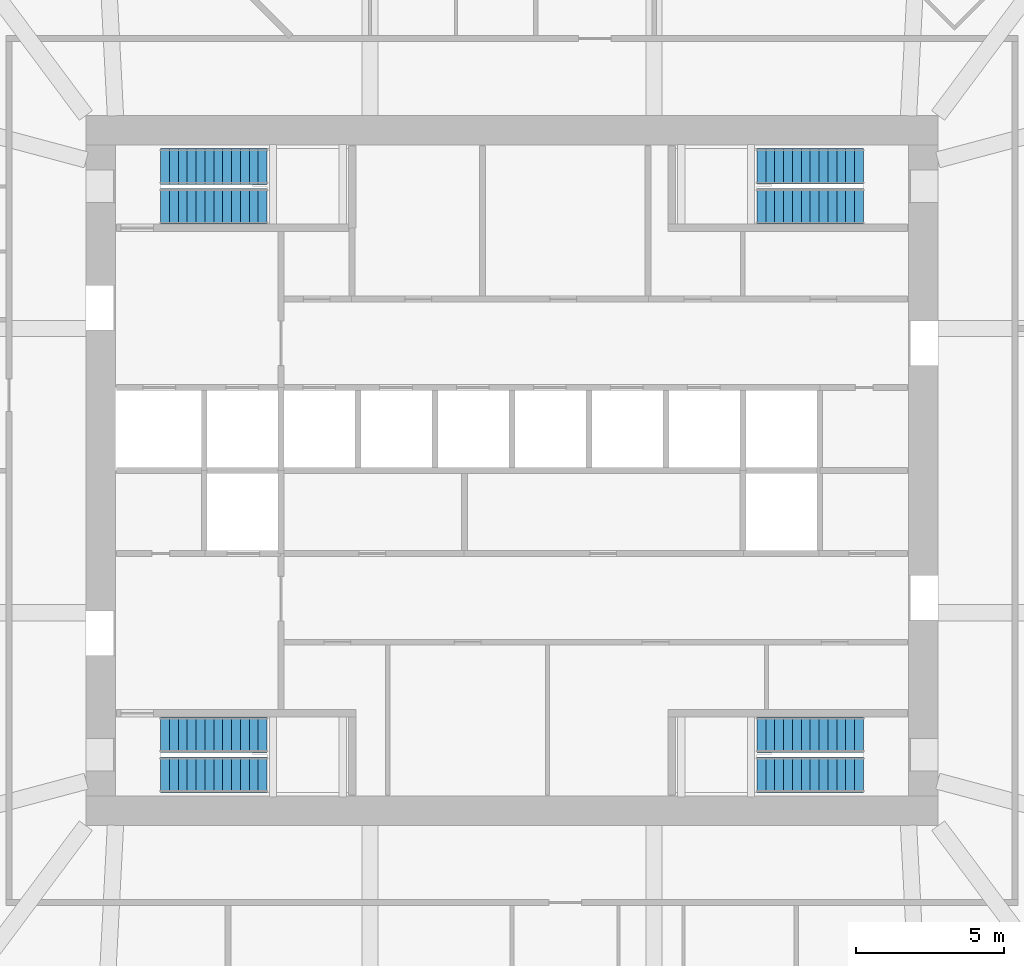
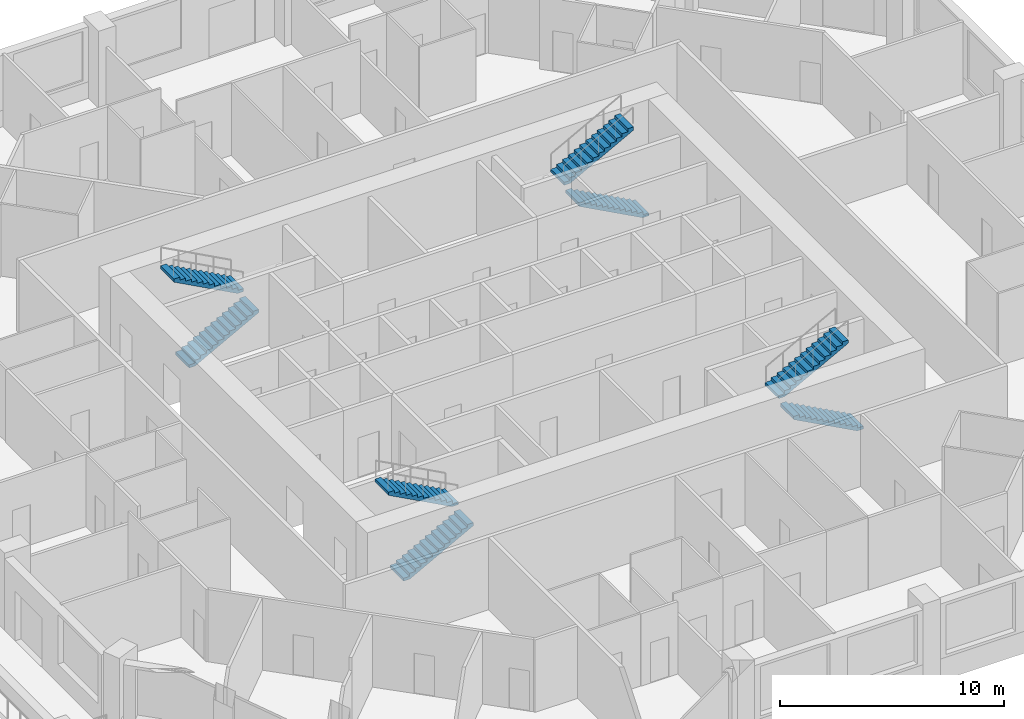
# One storey, part 11 of 13: 8 stair flights, 4 elements without a shape of their own.
"""IFC4 building model written with IfcOpenShell, lengths in metres."""

from ifc_helpers import new_model, si_unit, direction, frame, origin, place, context, subcontext, project, spatial, polyline, outline, extrude, material, type_object, element, aggregate, save


model = new_model("IFC4")

# Units and contexts
model_context = context("Model", 3, precision=1e-05, world=origin(), true_north=direction((0.0, 1.0)))
body_context = subcontext(model_context, "Body", "Model", "MODEL_VIEW")
ifc_project = project(units=[si_unit("LENGTHUNIT", "METRE"), si_unit("AREAUNIT", "SQUARE_METRE"), si_unit("VOLUMEUNIT", "CUBIC_METRE"), si_unit("PLANEANGLEUNIT", "RADIAN"), si_unit("MASSUNIT", "GRAM", prefix="KILO")], contexts=[model_context])

# Site, building, storey
site_placement = place(None, origin())
site = spatial("IfcSite", under=ifc_project, at=site_placement, CompositionType="ELEMENT")
building_placement = place(site_placement, origin())
building = spatial("IfcBuilding", under=site, at=building_placement, Name="Msitu Wima Residences", CompositionType="ELEMENT")
storey_placement = place(building_placement, frame((0.0, 0.0, 88.5)))
storey = spatial("IfcBuildingStorey", under=building, at=storey_placement, Name="L20", CompositionType="ELEMENT", Elevation=88.5)

# Stair, stair flights
ifc_material = material(Name="Concrete C40/50", Category="concrete")
stair_type = type_object("IfcStairType", Name="Exit stair ES1615-120", PredefinedType="HALF_TURN_STAIR", material=ifc_material)
stair_1_placement = place(storey_placement, origin())
stair_1 = element("IfcStair", 1, at=stair_1_placement, inside=storey, type_object=stair_type, Name="Exit stair 1", PredefinedType="HALF_TURN_STAIR")
stair_flight_type = type_object("IfcStairFlightType", Name="Exit stair flight ES1615-120", PredefinedType="STRAIGHT", material=ifc_material)
stair_flight_1_placement = place(storey_placement, frame((-11.875, 8.925048828125, 0.0), z_axis=(0.0, 0.0, 1.0), x_axis=(1.0, 0.0, 0.0)))
stair_flight_1 = element("IfcStairFlight", 2, at=stair_flight_1_placement, type_object=stair_flight_type, Name="S1 flight 1", NumberOfRisers=13, NumberOfTreads=12, PredefinedType="STRAIGHT", RiserHeight=0.161538462, TreadLength=0.3, context=body_context, shape_type="SweptSolid", body=[
    extrude(outline(polyline([(0.0, 0.0), (0.0, 0.16162109375), (0.300048828125, 0.16162109375), (0.300048828125, 0.322998046875), (0.60009765625, 0.322998046875), (0.60009765625, 0.484619140625), (0.89990234375, 0.484619140625), (0.89990234375, 0.646240234375), (1.199951171875, 0.646240234375), (1.199951171875, 0.8076171875), (1.5, 0.8076171875), (1.5, 0.96923828125), (1.800048828125, 0.96923828125), (1.800048828125, 1.130859375), (2.10009765625, 1.130859375), (2.10009765625, 1.292236328125), (2.39990234375, 1.292236328125), (2.39990234375, 1.453857421875), (2.699951171875, 1.453857421875), (2.699951171875, 1.615478515625), (3.0, 1.615478515625), (3.0, 1.77685546875), (3.300048828125, 1.77685546875), (3.300048828125, 1.9384765625), (3.60009765625, 1.9384765625), (3.60009765625, 2.10009765625), (3.60009765625, 1.768310546875), (0.316162109375, 0.0), (0.0, 0.0)])), frame((0.0, 0.60009765625, 0.0), z_axis=(0.0, -1.0, 0.0), x_axis=(1.0, 0.0, 0.0)), (0.0, 0.0, 1.0), 1.199951171875),
])
stair_flight_2_placement = place(storey_placement, frame((-8.27490234375, 10.27490234375, 2.10009765625), z_axis=(0.0, 0.0, 1.0), x_axis=(-1.0, 0.0, 0.0)))
stair_flight_2 = element("IfcStairFlight", 3, at=stair_flight_2_placement, type_object=stair_flight_type, Name="S1 flight 2", NumberOfRisers=13, NumberOfTreads=12, PredefinedType="STRAIGHT", RiserHeight=0.161538462, TreadLength=0.3, context=body_context, shape_type="SweptSolid", body=[
    extrude(outline(polyline([(0.0, 0.0), (0.0, 0.16162109375), (0.300048828125, 0.16162109375), (0.300048828125, 0.322998046875), (0.60009765625, 0.322998046875), (0.60009765625, 0.484619140625), (0.89990234375, 0.484619140625), (0.89990234375, 0.646240234375), (1.199951171875, 0.646240234375), (1.199951171875, 0.8076171875), (1.5, 0.8076171875), (1.5, 0.96923828125), (1.800048828125, 0.96923828125), (1.800048828125, 1.130859375), (2.10009765625, 1.130859375), (2.10009765625, 1.292236328125), (2.39990234375, 1.292236328125), (2.39990234375, 1.453857421875), (2.699951171875, 1.453857421875), (2.699951171875, 1.615478515625), (3.0, 1.615478515625), (3.0, 1.77685546875), (3.300048828125, 1.77685546875), (3.300048828125, 1.9384765625), (3.60009765625, 1.9384765625), (3.60009765625, 2.10009765625), (3.60009765625, 1.768310546875), (0.316162109375, 0.0), (0.0, 0.0)])), frame((0.0, 0.60009765625, 0.0), z_axis=(0.0, -1.0, 0.0), x_axis=(1.0, 0.0, 0.0)), (0.0, 0.0, 1.0), 1.199951171875),
])
aggregate(stair_1, [stair_flight_1, stair_flight_2])

stair_2_placement = place(storey_placement, origin())
stair_2 = element("IfcStair", 4, at=stair_2_placement, inside=storey, type_object=stair_type, Name="Exit stair 2", PredefinedType="HALF_TURN_STAIR")
stair_flight_3_placement = place(storey_placement, frame((-11.875, -10.27490234375, 0.0), z_axis=(0.0, 0.0, 1.0), x_axis=(1.0, 0.0, 0.0)))
stair_flight_3 = element("IfcStairFlight", 5, at=stair_flight_3_placement, type_object=stair_flight_type, Name="S2 flight 1", NumberOfRisers=13, NumberOfTreads=12, PredefinedType="STRAIGHT", RiserHeight=0.161538462, TreadLength=0.3, context=body_context, shape_type="SweptSolid", body=[
    extrude(outline(polyline([(0.0, 0.0), (0.0, 0.16162109375), (0.300048828125, 0.16162109375), (0.300048828125, 0.322998046875), (0.60009765625, 0.322998046875), (0.60009765625, 0.484619140625), (0.89990234375, 0.484619140625), (0.89990234375, 0.646240234375), (1.199951171875, 0.646240234375), (1.199951171875, 0.8076171875), (1.5, 0.8076171875), (1.5, 0.96923828125), (1.800048828125, 0.96923828125), (1.800048828125, 1.130859375), (2.10009765625, 1.130859375), (2.10009765625, 1.292236328125), (2.39990234375, 1.292236328125), (2.39990234375, 1.453857421875), (2.699951171875, 1.453857421875), (2.699951171875, 1.615478515625), (3.0, 1.615478515625), (3.0, 1.77685546875), (3.300048828125, 1.77685546875), (3.300048828125, 1.9384765625), (3.60009765625, 1.9384765625), (3.60009765625, 2.10009765625), (3.60009765625, 1.768310546875), (0.316162109375, 0.0), (0.0, 0.0)])), frame((0.0, 0.60009765625, 0.0), z_axis=(0.0, -1.0, 0.0), x_axis=(1.0, 0.0, 0.0)), (0.0, 0.0, 1.0), 1.199951171875),
])
stair_flight_4_placement = place(storey_placement, frame((-8.27490234375, -8.925048828125, 2.10009765625), z_axis=(0.0, 0.0, 1.0), x_axis=(-1.0, 0.0, 0.0)))
stair_flight_4 = element("IfcStairFlight", 6, at=stair_flight_4_placement, type_object=stair_flight_type, Name="S2 flight 2", NumberOfRisers=13, NumberOfTreads=12, PredefinedType="STRAIGHT", RiserHeight=0.161538462, TreadLength=0.3, context=body_context, shape_type="SweptSolid", body=[
    extrude(outline(polyline([(0.0, 0.0), (0.0, 0.16162109375), (0.300048828125, 0.16162109375), (0.300048828125, 0.322998046875), (0.60009765625, 0.322998046875), (0.60009765625, 0.484619140625), (0.89990234375, 0.484619140625), (0.89990234375, 0.646240234375), (1.199951171875, 0.646240234375), (1.199951171875, 0.8076171875), (1.5, 0.8076171875), (1.5, 0.96923828125), (1.800048828125, 0.96923828125), (1.800048828125, 1.130859375), (2.10009765625, 1.130859375), (2.10009765625, 1.292236328125), (2.39990234375, 1.292236328125), (2.39990234375, 1.453857421875), (2.699951171875, 1.453857421875), (2.699951171875, 1.615478515625), (3.0, 1.615478515625), (3.0, 1.77685546875), (3.300048828125, 1.77685546875), (3.300048828125, 1.9384765625), (3.60009765625, 1.9384765625), (3.60009765625, 2.10009765625), (3.60009765625, 1.768310546875), (0.316162109375, 0.0), (0.0, 0.0)])), frame((0.0, 0.60009765625, 0.0), z_axis=(0.0, -1.0, 0.0), x_axis=(1.0, 0.0, 0.0)), (0.0, 0.0, 1.0), 1.199951171875),
])
aggregate(stair_2, [stair_flight_3, stair_flight_4])

stair_3_placement = place(storey_placement, origin())
stair_3 = element("IfcStair", 7, at=stair_3_placement, inside=storey, type_object=stair_type, Name="Exit stair 3", PredefinedType="HALF_TURN_STAIR")
stair_flight_5_placement = place(storey_placement, frame((11.875, 8.925048828125, 0.0), z_axis=(0.0, 0.0, 1.0), x_axis=(-1.0, 0.0, 0.0)))
stair_flight_5 = element("IfcStairFlight", 8, at=stair_flight_5_placement, type_object=stair_flight_type, Name="S3 flight 1", NumberOfRisers=13, NumberOfTreads=12, PredefinedType="STRAIGHT", RiserHeight=0.161538462, TreadLength=0.3, context=body_context, shape_type="SweptSolid", body=[
    extrude(outline(polyline([(0.0, 0.0), (0.0, 0.16162109375), (0.300048828125, 0.16162109375), (0.300048828125, 0.322998046875), (0.60009765625, 0.322998046875), (0.60009765625, 0.484619140625), (0.89990234375, 0.484619140625), (0.89990234375, 0.646240234375), (1.199951171875, 0.646240234375), (1.199951171875, 0.8076171875), (1.5, 0.8076171875), (1.5, 0.96923828125), (1.800048828125, 0.96923828125), (1.800048828125, 1.130859375), (2.10009765625, 1.130859375), (2.10009765625, 1.292236328125), (2.39990234375, 1.292236328125), (2.39990234375, 1.453857421875), (2.699951171875, 1.453857421875), (2.699951171875, 1.615478515625), (3.0, 1.615478515625), (3.0, 1.77685546875), (3.300048828125, 1.77685546875), (3.300048828125, 1.9384765625), (3.60009765625, 1.9384765625), (3.60009765625, 2.10009765625), (3.60009765625, 1.768310546875), (0.316162109375, 0.0), (0.0, 0.0)])), frame((0.0, 0.60009765625, 0.0), z_axis=(0.0, -1.0, 0.0), x_axis=(1.0, 0.0, 0.0)), (0.0, 0.0, 1.0), 1.199951171875),
])
stair_flight_6_placement = place(storey_placement, frame((8.27490234375, 10.27490234375, 2.10009765625), z_axis=(0.0, 0.0, 1.0), x_axis=(1.0, 0.0, 0.0)))
stair_flight_6 = element("IfcStairFlight", 9, at=stair_flight_6_placement, type_object=stair_flight_type, Name="S3 flight 2", NumberOfRisers=13, NumberOfTreads=12, PredefinedType="STRAIGHT", RiserHeight=0.161538462, TreadLength=0.3, context=body_context, shape_type="SweptSolid", body=[
    extrude(outline(polyline([(0.0, 0.0), (0.0, 0.16162109375), (0.300048828125, 0.16162109375), (0.300048828125, 0.322998046875), (0.60009765625, 0.322998046875), (0.60009765625, 0.484619140625), (0.89990234375, 0.484619140625), (0.89990234375, 0.646240234375), (1.199951171875, 0.646240234375), (1.199951171875, 0.8076171875), (1.5, 0.8076171875), (1.5, 0.96923828125), (1.800048828125, 0.96923828125), (1.800048828125, 1.130859375), (2.10009765625, 1.130859375), (2.10009765625, 1.292236328125), (2.39990234375, 1.292236328125), (2.39990234375, 1.453857421875), (2.699951171875, 1.453857421875), (2.699951171875, 1.615478515625), (3.0, 1.615478515625), (3.0, 1.77685546875), (3.300048828125, 1.77685546875), (3.300048828125, 1.9384765625), (3.60009765625, 1.9384765625), (3.60009765625, 2.10009765625), (3.60009765625, 1.768310546875), (0.316162109375, 0.0), (0.0, 0.0)])), frame((0.0, 0.60009765625, 0.0), z_axis=(0.0, -1.0, 0.0), x_axis=(1.0, 0.0, 0.0)), (0.0, 0.0, 1.0), 1.199951171875),
])
aggregate(stair_3, [stair_flight_5, stair_flight_6])

stair_4_placement = place(storey_placement, origin())
stair_4 = element("IfcStair", 10, at=stair_4_placement, inside=storey, type_object=stair_type, Name="Exit stair 4", PredefinedType="HALF_TURN_STAIR")
stair_flight_7_placement = place(storey_placement, frame((11.875, -10.27490234375, 0.0), z_axis=(0.0, 0.0, 1.0), x_axis=(-1.0, 0.0, 0.0)))
stair_flight_7 = element("IfcStairFlight", 11, at=stair_flight_7_placement, type_object=stair_flight_type, Name="S4 flight 1", NumberOfRisers=13, NumberOfTreads=12, PredefinedType="STRAIGHT", RiserHeight=0.161538462, TreadLength=0.3, context=body_context, shape_type="SweptSolid", body=[
    extrude(outline(polyline([(0.0, 0.0), (0.0, 0.16162109375), (0.300048828125, 0.16162109375), (0.300048828125, 0.322998046875), (0.60009765625, 0.322998046875), (0.60009765625, 0.484619140625), (0.89990234375, 0.484619140625), (0.89990234375, 0.646240234375), (1.199951171875, 0.646240234375), (1.199951171875, 0.8076171875), (1.5, 0.8076171875), (1.5, 0.96923828125), (1.800048828125, 0.96923828125), (1.800048828125, 1.130859375), (2.10009765625, 1.130859375), (2.10009765625, 1.292236328125), (2.39990234375, 1.292236328125), (2.39990234375, 1.453857421875), (2.699951171875, 1.453857421875), (2.699951171875, 1.615478515625), (3.0, 1.615478515625), (3.0, 1.77685546875), (3.300048828125, 1.77685546875), (3.300048828125, 1.9384765625), (3.60009765625, 1.9384765625), (3.60009765625, 2.10009765625), (3.60009765625, 1.768310546875), (0.316162109375, 0.0), (0.0, 0.0)])), frame((0.0, 0.60009765625, 0.0), z_axis=(0.0, -1.0, 0.0), x_axis=(1.0, 0.0, 0.0)), (0.0, 0.0, 1.0), 1.199951171875),
])
stair_flight_8_placement = place(storey_placement, frame((8.27490234375, -8.925048828125, 2.10009765625), z_axis=(0.0, 0.0, 1.0), x_axis=(1.0, 0.0, 0.0)))
stair_flight_8 = element("IfcStairFlight", 12, at=stair_flight_8_placement, type_object=stair_flight_type, Name="S4 flight 2", NumberOfRisers=13, NumberOfTreads=12, PredefinedType="STRAIGHT", RiserHeight=0.161538462, TreadLength=0.3, context=body_context, shape_type="SweptSolid", body=[
    extrude(outline(polyline([(0.0, 0.0), (0.0, 0.16162109375), (0.300048828125, 0.16162109375), (0.300048828125, 0.322998046875), (0.60009765625, 0.322998046875), (0.60009765625, 0.484619140625), (0.89990234375, 0.484619140625), (0.89990234375, 0.646240234375), (1.199951171875, 0.646240234375), (1.199951171875, 0.8076171875), (1.5, 0.8076171875), (1.5, 0.96923828125), (1.800048828125, 0.96923828125), (1.800048828125, 1.130859375), (2.10009765625, 1.130859375), (2.10009765625, 1.292236328125), (2.39990234375, 1.292236328125), (2.39990234375, 1.453857421875), (2.699951171875, 1.453857421875), (2.699951171875, 1.615478515625), (3.0, 1.615478515625), (3.0, 1.77685546875), (3.300048828125, 1.77685546875), (3.300048828125, 1.9384765625), (3.60009765625, 1.9384765625), (3.60009765625, 2.10009765625), (3.60009765625, 1.768310546875), (0.316162109375, 0.0), (0.0, 0.0)])), frame((0.0, 0.60009765625, 0.0), z_axis=(0.0, -1.0, 0.0), x_axis=(1.0, 0.0, 0.0)), (0.0, 0.0, 1.0), 1.199951171875),
])
aggregate(stair_4, [stair_flight_7, stair_flight_8])

save(model, "model.ifc")
